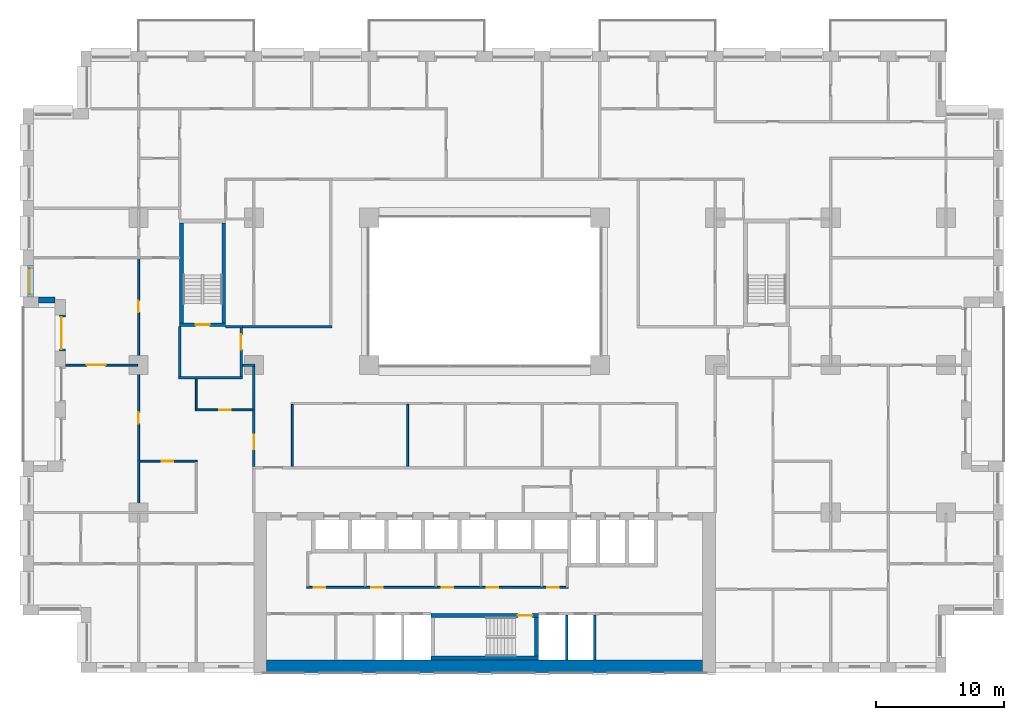
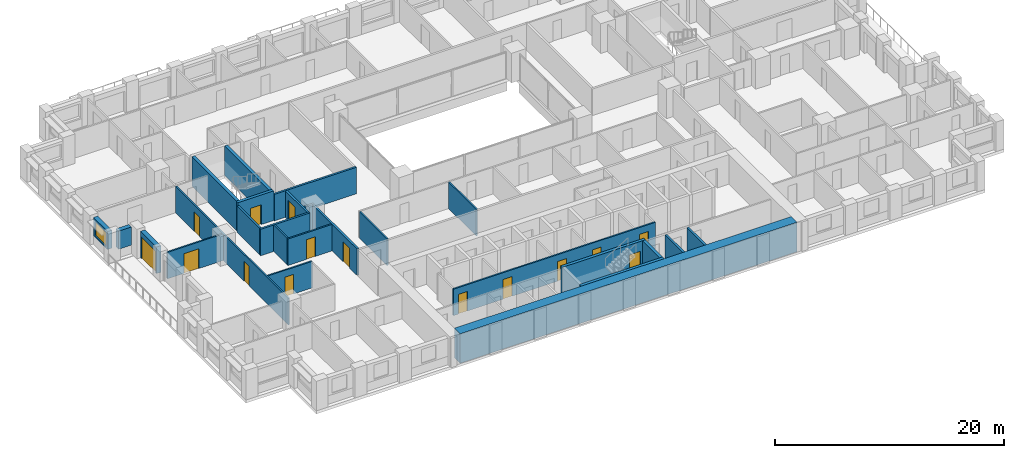
# One storey, part 10 of 21: 27 walls, 15 doors, 1 window, 16 openings.
"""IFC4 building model written with IfcOpenShell, lengths in metres."""

import ifcopenshell
import ifcopenshell.guid

model = None  # the IFC model being written
_history = None  # IfcOwnerHistory: only IFC2X3 demands one
_inside = {}  # id of a spatial element -> (the spatial element, [elements in it])
_under = {}  # id of a project, library or spatial element -> (it, [spatial elements below it])
_declared = {}  # id of a project -> (the project, [libraries it declares])
_typed = {}  # id of a type object -> (the type object, [elements of that type])
_made_of = {}  # id of a material, layer set ... -> (it, [elements and type objects made of it])


def new_model(schema):
    """Start an empty IFC model of exactly this schema.

    Asked for "IFC4X3", IfcOpenShell would pick the latest addendum, in which some entities
    have other attributes; the version numbers below select the first issue.
    IFC2X3 requires an IfcOwnerHistory on every rooted entity: one is made here for all.
    """
    global model, _history
    if schema == "IFC4X3":
        model = ifcopenshell.file(schema_version=(4, 3, 0, 0))
    else:
        model = ifcopenshell.file(schema=schema)
    _inside.clear()
    _under.clear()
    _declared.clear()
    _typed.clear()
    _made_of.clear()
    _history = None
    if model.schema == "IFC2X3":
        org = make("IfcOrganization", Name="unknown")
        user = make(
            "IfcPersonAndOrganization",
            ThePerson=make("IfcPerson", FamilyName="unknown"),
            TheOrganization=org,
        )
        app = make(
            "IfcApplication",
            ApplicationDeveloper=org,
            Version="unknown",
            ApplicationFullName="unknown",
            ApplicationIdentifier="unknown",
        )
        _history = make(
            "IfcOwnerHistory",
            OwningUser=user,
            OwningApplication=app,
            ChangeAction="ADDED",
            CreationDate=0,
        )
    return model


def make(cls, **values):
    """One entity of the class cls with the attributes given. An attribute that is None is left unset."""
    return model.create_entity(
        cls, **{name: value for name, value in values.items() if value is not None}
    )


def rooted(cls, **values):
    """An entity with a GlobalId (a new one), such as an element, a storey or a relation."""
    return make(cls, GlobalId=ifcopenshell.guid.new(), OwnerHistory=_history, **values)


def si_unit(unit_type, name, prefix=None):
    """IfcSIUnit, for example si_unit("LENGTHUNIT", "METRE", prefix="MILLI")."""
    return make("IfcSIUnit", UnitType=unit_type, Prefix=prefix, Name=name)


def assignment(units):
    """IfcUnitAssignment: the units of a project."""
    return None if units is None else make("IfcUnitAssignment", Units=units)


def point(xyz):
    """IfcCartesianPoint."""
    return None if xyz is None else make("IfcCartesianPoint", Coordinates=xyz)


def direction(xyz):
    """IfcDirection."""
    return None if xyz is None else make("IfcDirection", DirectionRatios=xyz)


def frame(location, z_axis=None, x_axis=None):
    """IfcAxis2Placement3D, a coordinate frame: its origin and axes. An axis left out is left unset."""
    return make(
        "IfcAxis2Placement3D",
        Location=point(location),
        Axis=direction(z_axis),
        RefDirection=direction(x_axis),
    )


def frame_2d(location, x_axis=None):
    """IfcAxis2Placement2D, a coordinate frame in the plane: its origin and x axis."""
    return make(
        "IfcAxis2Placement2D", Location=point(location), RefDirection=direction(x_axis)
    )


def origin():
    """The frame at (0, 0, 0) with its axes left unset."""
    return frame((0.0, 0.0, 0.0))


def place(relative_to, where):
    """IfcLocalPlacement: puts the frame where relative to a parent placement (None: the world)."""
    return make(
        "IfcLocalPlacement", PlacementRelTo=relative_to, RelativePlacement=where
    )


def context(
    kind, dimensions, precision=None, world=None, true_north=None, identifier=None
):
    """IfcGeometricRepresentationContext, for example the 3D "Model" context."""
    return make(
        "IfcGeometricRepresentationContext",
        ContextIdentifier=identifier,
        ContextType=kind,
        CoordinateSpaceDimension=dimensions,
        Precision=precision,
        WorldCoordinateSystem=world,
        TrueNorth=true_north,
    )


def subcontext(parent, identifier, kind, view, scale=None):
    """IfcGeometricRepresentationSubContext, for example "Body" below "Model"."""
    return make(
        "IfcGeometricRepresentationSubContext",
        ContextIdentifier=identifier,
        ContextType=kind,
        ParentContext=parent,
        TargetScale=scale,
        TargetView=view,
    )


def project(units=None, contexts=None):
    """IfcProject with its units and contexts."""
    return rooted(
        "IfcProject",
        Name="project",
        RepresentationContexts=contexts,
        UnitsInContext=assignment(units),
    )


def spatial(cls, under=None, at=None, **own):
    """A site, building, storey or space (cls), placed at a placement, below another one or the project."""
    s = rooted(cls, ObjectPlacement=at, **own)
    if under is not None:
        _under.setdefault(under.id(), (under, []))[1].append(s)
    return s


def profile(cls, at=None, kind="AREA", **sizes):
    """A parametric profile (cls). Its sizes go by their IFC names, for example OverallWidth=200.0."""
    return make(cls, ProfileType=kind, Position=at, **sizes)


def rectangle(**sizes):
    """IfcRectangleProfileDef."""
    return profile("IfcRectangleProfileDef", **sizes)


def extrude(swept, where, along, depth):
    """IfcExtrudedAreaSolid: the profile swept, set in the frame where, extruded along a direction by depth."""
    return make(
        "IfcExtrudedAreaSolid",
        SweptArea=swept,
        Position=where,
        ExtrudedDirection=direction(along),
        Depth=depth,
    )


def shape(context_of_items, identifier, shape_type, items):
    """IfcShapeRepresentation: the items that make up one representation, for example the "Body"."""
    return make(
        "IfcShapeRepresentation",
        ContextOfItems=context_of_items,
        RepresentationIdentifier=identifier,
        RepresentationType=shape_type,
        Items=items,
    )


def material(Name=None, Category=None):
    """IfcMaterial."""
    return make("IfcMaterial", Name=Name, Category=Category)


def layer(
    of_material, thickness, ventilated=None, Name=None, Category=None, Priority=None
):
    """IfcMaterialLayer: one layer of a wall or slab, of a material (None: an air gap)."""
    return make(
        "IfcMaterialLayer",
        Material=of_material,
        LayerThickness=thickness,
        IsVentilated=ventilated,
        Name=Name,
        Category=Category,
        Priority=Priority,
    )


def layer_set(layers, Name=None):
    """IfcMaterialLayerSet."""
    return make("IfcMaterialLayerSet", MaterialLayers=layers, LayerSetName=Name)


def made_of(thing, what):
    """Note that an element or type object is made of a material, layer set ...; save() writes the relation."""
    if what is not None:
        _made_of.setdefault(what.id(), (what, []))[1].append(thing)
    return thing


def type_object(cls, material=None, **own):
    """A type object (cls), such as IfcWallType, which elements share."""
    return made_of(rooted(cls, **own), material)


def element(
    cls,
    number,
    at=None,
    inside=None,
    cuts=None,
    type_object=None,
    material=None,
    context=None,
    identifier="Body",
    shape_type=None,
    held_by="IfcProductDefinitionShape",
    body=None,
    shapes=None,
    **own,
):
    """One element of the class cls, such as IfcWall. Its Tag is "e" and its number.

    at: its placement. inside: the storey or other place that contains it. cuts: it is an
    opening in that element (IfcRelVoidsElement). A single representation is given by context,
    identifier, shape_type and body (its items); several are given by shapes. held_by: the class
    of the entity that holds the representations. save() writes the other relations.
    """
    e = rooted(cls, Tag="e%d" % number, ObjectPlacement=at, **own)
    if body is not None:
        shapes = [shape(context, identifier, shape_type, body)]
    if shapes is not None:
        e.Representation = make(held_by, Representations=shapes)
    if inside is not None:
        _inside.setdefault(inside.id(), (inside, []))[1].append(e)
    if cuts is not None:
        rooted(
            "IfcRelVoidsElement", RelatingBuildingElement=cuts, RelatedOpeningElement=e
        )
    if type_object is not None:
        _typed.setdefault(type_object.id(), (type_object, []))[1].append(e)
    return made_of(e, material)


def fill(opening, filler):
    """IfcRelFillsElement: the door or window that sits in an opening."""
    return rooted(
        "IfcRelFillsElement",
        RelatingOpeningElement=opening,
        RelatedBuildingElement=filler,
    )


def aggregate(whole, parts):
    """IfcRelAggregates: a whole, such as a stair, and the parts it consists of."""
    return rooted("IfcRelAggregates", RelatingObject=whole, RelatedObjects=parts)


def save(model, path):
    """Write the relations noted so far, then the file.

    IfcRelAggregates (storeys below a building ...), IfcRelContainedInSpatialStructure (elements
    in a storey), IfcRelDefinesByType, IfcRelAssociatesMaterial and IfcRelDeclares: one each for
    every whole, place, type object, material and project.
    """
    for whole, parts in _under.values():
        aggregate(whole, parts)
    for where, things in _inside.values():
        rooted(
            "IfcRelContainedInSpatialStructure",
            RelatedElements=things,
            RelatingStructure=where,
        )
    for kind, things in _typed.values():
        rooted("IfcRelDefinesByType", RelatedObjects=things, RelatingType=kind)
    for what, things in _made_of.values():
        rooted("IfcRelAssociatesMaterial", RelatedObjects=things, RelatingMaterial=what)
    for by, libraries in _declared.values():
        rooted("IfcRelDeclares", RelatingContext=by, RelatedDefinitions=libraries)
    model.write(path)


model = new_model("IFC4")

# Units and contexts
model_context = context("Model", 3, precision=1e-05, world=origin(), true_north=direction((0.0, 1.0)))
body_context = subcontext(model_context, "Body", "Model", "MODEL_VIEW")
ifc_project = project(units=[si_unit("LENGTHUNIT", "METRE"), si_unit("AREAUNIT", "SQUARE_METRE"), si_unit("VOLUMEUNIT", "CUBIC_METRE"), si_unit("PLANEANGLEUNIT", "RADIAN"), si_unit("MASSUNIT", "GRAM", prefix="KILO")], contexts=[model_context])

# Site, building, storey
site_placement = place(None, origin())
site = spatial("IfcSite", under=ifc_project, at=site_placement, CompositionType="ELEMENT")
building_placement = place(site_placement, origin())
building = spatial("IfcBuilding", under=site, at=building_placement, Name="Brigalow Station Residences", CompositionType="ELEMENT")
storey_placement = place(building_placement, frame((0.0, 0.0, 51.0)))
storey = spatial("IfcBuildingStorey", under=building, at=storey_placement, Name="L14", CompositionType="ELEMENT", Elevation=51.0)

# Wall, opening, window
ifc_material_1 = material(Name="Clay brick masonry", Category="masonry")
ifc_layer_1 = layer(ifc_material_1, 0.449951171875)
ifc_layer_set_1 = layer_set([ifc_layer_1], Name="BRICK INFILL WALL 450")
wall_type_1 = type_object("IfcWallType", Name="BRICK INFILL WALL 450", PredefinedType="SOLIDWALL", material=ifc_layer_set_1)
wall_1_placement = place(storey_placement, frame((0.574951171875, 31.77490234375, 0.89990234375), z_axis=(0.0, 0.0, 1.0), x_axis=(0.0, -1.0, 0.0)))
wall_1 = element("IfcWall", 1, at=wall_1_placement, inside=storey, type_object=wall_type_1, Name="L14/ewall/W-L14-45", PredefinedType="SOLIDWALL", context=body_context, shape_type="SweptSolid", body=[
    extrude(rectangle(XDim=2.474853515625, YDim=0.449951171875, at=frame_2d((1.2373046875, 0.0))), origin(), (0.0, 0.0, 1.0), 1.93017578125),
])
opening_1_placement = place(wall_1_placement, frame((0.237548828125, 0.0, 0.14990234375)))
opening_1 = element("IfcOpeningElement", 2, at=opening_1_placement, cuts=wall_1, Name="Opening WT-7", PredefinedType="OPENING", context=body_context, shape_type="SweptSolid", body=[
    extrude(rectangle(XDim=2.0, YDim=1.5, at=frame_2d((1.0, 0.75))), frame((0.0, 0.23486328125, 0.0), z_axis=(0.0, -1.0, 0.0), x_axis=(1.0, 0.0, 0.0)), (0.0, 0.0, 1.0), 0.469970703125),
])
ifc_material_2 = material(Name="Anodised aluminium frame with double glazing", Category="aluminium")
window_type = type_object("IfcWindowType", Name="WINDOW 2000x1500", PartitioningType="SINGLE_PANEL", PredefinedType="WINDOW", material=ifc_material_2)
window_placement = place(opening_1_placement, origin())
window = element("IfcWindow", 3, at=window_placement, inside=storey, type_object=window_type, Name="L14/window/W-L14-45", OverallHeight=1.5, OverallWidth=2.0, PartitioningType="SINGLE_PANEL", PredefinedType="WINDOW", context=body_context, shape_type="SweptSolid", body=[
    extrude(rectangle(XDim=2.0, YDim=1.5, at=frame_2d((1.0, 0.75))), frame((0.0, -0.06494140625, 0.0), z_axis=(0.0, -1.0, 0.0), x_axis=(1.0, 0.0, 0.0)), (0.0, 0.0, 1.0), 0.06005859375),
])
fill(opening_1, window)

# Wall
wall_2_placement = place(storey_placement, frame((1.199951171875, 29.074951171875, 0.89990234375), z_axis=(0.0, 0.0, 1.0), x_axis=(1.0, 0.0, 0.0)))
element("IfcWall", 4, at=wall_2_placement, inside=storey, type_object=wall_type_1, Name="L14/ewall/W-L14-46", PredefinedType="SOLIDWALL", context=body_context, shape_type="SweptSolid", body=[
    extrude(rectangle(XDim=1.300048828125, YDim=0.449951171875, at=frame_2d((0.64990234375, 0.0))), origin(), (0.0, 0.0, 1.0), 1.93017578125),
])

# Wall, opening, door
wall_3_placement = place(storey_placement, frame((3.074951171875, 27.89990234375, 0.0), z_axis=(0.0, 0.0, 1.0), x_axis=(0.0, -1.0, 0.0)))
wall_3 = element("IfcWall", 5, at=wall_3_placement, inside=storey, type_object=wall_type_1, Name="L14/ewall/W-L14-47", PredefinedType="SOLIDWALL", context=body_context, shape_type="SweptSolid", body=[
    extrude(rectangle(XDim=2.7998046875, YDim=0.449951171875, at=frame_2d((1.39990234375, 0.0))), origin(), (0.0, 0.0, 1.0), 2.830078125),
])
opening_2_placement = place(wall_3_placement, frame((0.14990234375, 0.0, 0.0)))
opening_2 = element("IfcOpeningElement", 6, at=opening_2_placement, cuts=wall_3, Name="Opening D-B2500", PredefinedType="OPENING", context=body_context, shape_type="SweptSolid", body=[
    extrude(rectangle(XDim=2.5, YDim=2.300048828125, at=frame_2d((1.25, 1.14990234375))), frame((0.0, 0.23486328125, 0.0), z_axis=(0.0, -1.0, 0.0), x_axis=(1.0, 0.0, 0.0)), (0.0, 0.0, 1.0), 0.469970703125),
])
ifc_material_3 = material(Name="Anodised aluminium frame with double glazing", Category="aluminium")
door_type_1 = type_object("IfcDoorType", Name="BALCONY SLIDING DOOR 2500x2300", OperationType="SLIDING_TO_LEFT", PredefinedType="DOOR", material=ifc_material_3)
door_1_placement = place(opening_2_placement, origin())
door_1 = element("IfcDoor", 7, at=door_1_placement, inside=storey, type_object=door_type_1, Name="L14/balcony-door/W-L14-47", OperationType="SLIDING_TO_LEFT", OverallHeight=2.300048828125, OverallWidth=2.5, PredefinedType="DOOR", context=body_context, shape_type="SweptSolid", body=[
    extrude(rectangle(XDim=2.5, YDim=2.300048828125, at=frame_2d((1.25, 1.14990234375))), frame((0.0, -0.06982421875, 0.0), z_axis=(0.0, -1.0, 0.0), x_axis=(1.0, 0.0, 0.0)), (0.0, 0.0, 1.0), 0.050048828125),
])
fill(opening_2, door_1)

# Walls
ifc_material_4 = material(Name="Concrete C80", Category="concrete")
ifc_layer_2 = layer(ifc_material_4, 1.0)
ifc_layer_set_2 = layer_set([ifc_layer_2], Name="CORE SHEAR WALL 1000 C80")
wall_type_2 = type_object("IfcWallType", Name="CORE SHEAR WALL 1000 C80", PredefinedType="SHEAR", material=ifc_layer_set_2)
wall_4_placement = place(storey_placement, frame((19.0, 0.5, 0.0), z_axis=(0.0, 0.0, 1.0), x_axis=(1.0, 0.0, 0.0)))
element("IfcWall", 8, at=wall_4_placement, inside=storey, type_object=wall_type_2, Name="CORE WALL OUT-S L14", PredefinedType="SHEAR", context=body_context, shape_type="SweptSolid", body=[
    extrude(rectangle(XDim=34.0, YDim=1.0, at=frame_2d((17.0, 0.0))), origin(), (0.0, 0.0, 1.0), 3.14990234375),
])
ifc_material_5 = material(Name="Concrete C80", Category="concrete")
ifc_layer_3 = layer(ifc_material_5, 0.300048828125)
ifc_layer_set_3 = layer_set([ifc_layer_3], Name="CORE SHEAR WALL 300 C80")
wall_type_3 = type_object("IfcWallType", Name="CORE SHEAR WALL 300 C80", PredefinedType="SHEAR", material=ifc_layer_set_3)
wall_5_placement = place(storey_placement, frame((31.800048828125, 1.14990234375, 0.0), z_axis=(0.0, 0.0, 1.0), x_axis=(1.0, 0.0, 0.0)))
element("IfcWall", 9, at=wall_5_placement, inside=storey, type_object=wall_type_3, Name="CORE WALL ST-S2-S L14", PredefinedType="SHEAR", context=body_context, shape_type="SweptSolid", body=[
    extrude(rectangle(XDim=8.39990234375, YDim=0.300048828125, at=frame_2d((4.199951171875, 0.0))), origin(), (0.0, 0.0, 1.0), 3.14990234375),
])

# Wall, opening, door
wall_6_placement = place(storey_placement, frame((31.800048828125, 4.449951171875, 0.0), z_axis=(0.0, 0.0, 1.0), x_axis=(1.0, 0.0, 0.0)))
wall_6 = element("IfcWall", 10, at=wall_6_placement, inside=storey, type_object=wall_type_3, Name="CORE WALL ST-S2-N L14", PredefinedType="SHEAR", context=body_context, shape_type="SweptSolid", body=[
    extrude(rectangle(XDim=8.39990234375, YDim=0.300048828125, at=frame_2d((4.199951171875, 0.0))), origin(), (0.0, 0.0, 1.0), 3.14990234375),
])
opening_3_placement = place(wall_6_placement, frame((6.800048828125, 0.0, 0.0)))
opening_3 = element("IfcOpeningElement", 11, at=opening_3_placement, cuts=wall_6, Name="Opening D-5001", PredefinedType="OPENING", context=body_context, shape_type="SweptSolid", body=[
    extrude(rectangle(XDim=1.10009765625, YDim=2.10009765625, at=frame_2d((0.550048828125, 1.050048828125))), frame((0.0, 0.16015625, 0.0), z_axis=(0.0, -1.0, 0.0), x_axis=(1.0, 0.0, 0.0)), (0.0, 0.0, 1.0), 0.320068359375),
])
ifc_material_6 = material(Name="Steel fire door leaf in steel frame", Category="steel")
door_type_2 = type_object("IfcDoorType", Name="STAIR DOOR 1100 x 2100 FD60S", OperationType="SINGLE_SWING_LEFT", PredefinedType="DOOR", material=ifc_material_6)
door_2_placement = place(opening_3_placement, frame((1.10009765625, 0.0, 0.0), z_axis=(0.0, 0.0, 1.0), x_axis=(-1.0, 0.0, 0.0)))
door_2 = element("IfcDoor", 12, at=door_2_placement, inside=storey, type_object=door_type_2, Name="D-5001", OperationType="SINGLE_SWING_LEFT", OverallHeight=2.10009765625, OverallWidth=1.10009765625, PredefinedType="DOOR", context=body_context, shape_type="SweptSolid", body=[
    extrude(rectangle(XDim=1.10009765625, YDim=2.10009765625, at=frame_2d((0.550048828125, 1.050048828125))), frame((0.0, 0.02490234375, 0.0), z_axis=(0.0, -1.0, 0.0), x_axis=(1.0, 0.0, 0.0)), (0.0, 0.0, 1.0), 0.050048828125),
])
fill(opening_3, door_2)

# Wall
wall_7_placement = place(storey_placement, frame((40.050048828125, 1.300048828125, 0.0), z_axis=(0.0, 0.0, 1.0), x_axis=(0.0, 1.0, 0.0)))
element("IfcWall", 13, at=wall_7_placement, inside=storey, type_object=wall_type_3, Name="CORE WALL ST-S2-E L14", PredefinedType="SHEAR", context=body_context, shape_type="SweptSolid", body=[
    extrude(rectangle(XDim=3.0, YDim=0.300048828125, at=frame_2d((1.5, 0.0))), origin(), (0.0, 0.0, 1.0), 3.14990234375),
])

# Wall, opening, door
wall_8_placement = place(storey_placement, frame((12.199951171875, 27.14990234375, 0.0), z_axis=(0.0, 0.0, 1.0), x_axis=(1.0, 0.0, 0.0)))
wall_8 = element("IfcWall", 14, at=wall_8_placement, inside=storey, type_object=wall_type_3, Name="CORE WALL ST-S1-S L14", PredefinedType="SHEAR", context=body_context, shape_type="SweptSolid", body=[
    extrude(rectangle(XDim=3.60009765625, YDim=0.300048828125, at=frame_2d((1.800048828125, 0.0))), origin(), (0.0, 0.0, 1.0), 3.14990234375),
])
opening_4_placement = place(wall_8_placement, frame((1.25, 0.0, 0.0)))
opening_4 = element("IfcOpeningElement", 15, at=opening_4_placement, cuts=wall_8, Name="Opening D-5015", PredefinedType="OPENING", context=body_context, shape_type="SweptSolid", body=[
    extrude(rectangle(XDim=1.10009765625, YDim=2.10009765625, at=frame_2d((0.550048828125, 1.050048828125))), frame((0.0, 0.16015625, 0.0), z_axis=(0.0, -1.0, 0.0), x_axis=(1.0, 0.0, 0.0)), (0.0, 0.0, 1.0), 0.320068359375),
])
door_3_placement = place(opening_4_placement, origin())
door_3 = element("IfcDoor", 16, at=door_3_placement, inside=storey, type_object=door_type_2, Name="D-5015", OperationType="SINGLE_SWING_LEFT", OverallHeight=2.10009765625, OverallWidth=1.10009765625, PredefinedType="DOOR", context=body_context, shape_type="SweptSolid", body=[
    extrude(rectangle(XDim=1.10009765625, YDim=2.10009765625, at=frame_2d((0.550048828125, 1.050048828125))), frame((0.0, 0.02490234375, 0.0), z_axis=(0.0, -1.0, 0.0), x_axis=(1.0, 0.0, 0.0)), (0.0, 0.0, 1.0), 0.050048828125),
])
fill(opening_4, door_3)

# Walls
for number, where, z_axis, x_axis, name in (
    (17, (12.35009765625, 27.300048828125, 0.0), (0.0, 0.0, 1.0), (0.0, 1.0, 0.0), "CORE WALL ST-S1-W L14"),
    (18, (15.64990234375, 27.300048828125, 0.0), (0.0, 0.0, 1.0), (0.0, 1.0, 0.0), "CORE WALL ST-S1-E L14"),
):
    element("IfcWall", number, at=place(storey_placement, frame(where, z_axis=z_axis, x_axis=x_axis)), inside=storey, type_object=wall_type_3, Name=name, PredefinedType="SHEAR", context=body_context, shape_type="SweptSolid", body=[
        extrude(rectangle(XDim=7.800048828125, YDim=0.300048828125, at=frame_2d((3.89990234375, 0.0))), origin(), (0.0, 0.0, 1.0), 3.14990234375),
    ])
ifc_material_7 = material(Name="Concrete blockwork", Category="masonry")
ifc_layer_4 = layer(ifc_material_7, 0.199951171875)
ifc_layer_set_4 = layer_set([ifc_layer_4], Name="FIRE RATED CORE PARTITION 200")
wall_type_4 = type_object("IfcWallType", Name="FIRE RATED CORE PARTITION 200", PredefinedType="PARTITIONING", material=ifc_layer_set_4)
wall_9_placement = place(storey_placement, frame((12.10009765625, 23.0, 0.0), z_axis=(0.0, 0.0, 1.0), x_axis=(1.0, 0.0, 0.0)))
element("IfcWall", 19, at=wall_9_placement, inside=storey, type_object=wall_type_4, Name="PW-5023", PredefinedType="PARTITIONING", context=body_context, shape_type="SweptSolid", body=[
    extrude(rectangle(XDim=5.0, YDim=0.199951171875, at=frame_2d((2.5, 0.0))), origin(), (0.0, 0.0, 1.0), 2.830078125),
])
wall_10_placement = place(storey_placement, frame((15.800048828125, 27.0, 0.0), z_axis=(0.0, 0.0, 1.0), x_axis=(1.0, 0.0, 0.0)))
element("IfcWall", 20, at=wall_10_placement, inside=storey, type_object=wall_type_4, Name="PW-5025", PredefinedType="PARTITIONING", context=body_context, shape_type="SweptSolid", body=[
    extrude(rectangle(XDim=1.300048828125, YDim=0.199951171875, at=frame_2d((0.64990234375, 0.0))), origin(), (0.0, 0.0, 1.0), 2.830078125),
])
for number, where, z_axis, x_axis, name in (
    (21, (42.39990234375, 1.0, 0.0), (0.0, 0.0, 1.0), (0.0, 1.0, 0.0), "PW-5007"),
    (22, (44.60009765625, 1.0, 0.0), (0.0, 0.0, 1.0), (0.0, 1.0, 0.0), "PW-5008"),
):
    element("IfcWall", number, at=place(storey_placement, frame(where, z_axis=z_axis, x_axis=x_axis)), inside=storey, type_object=wall_type_4, Name=name, PredefinedType="PARTITIONING", context=body_context, shape_type="SweptSolid", body=[
        extrude(rectangle(XDim=3.5, YDim=0.199951171875, at=frame_2d((1.75, 0.0))), origin(), (0.0, 0.0, 1.0), 2.830078125),
    ])
wall_11_placement = place(storey_placement, frame((12.199951171875, 23.10009765625, 0.0), z_axis=(0.0, 0.0, 1.0), x_axis=(0.0, 1.0, 0.0)))
element("IfcWall", 23, at=wall_11_placement, inside=storey, type_object=wall_type_4, Name="PW-5034", PredefinedType="PARTITIONING", context=body_context, shape_type="SweptSolid", body=[
    extrude(rectangle(XDim=3.89990234375, YDim=0.199951171875, at=frame_2d((1.949951171875, 0.0))), origin(), (0.0, 0.0, 1.0), 2.830078125),
])

# Wall, opening, door
wall_12_placement = place(storey_placement, frame((17.0, 23.10009765625, 0.0), z_axis=(0.0, 0.0, 1.0), x_axis=(0.0, 1.0, 0.0)))
wall_12 = element("IfcWall", 24, at=wall_12_placement, inside=storey, type_object=wall_type_4, Name="PW-5035", PredefinedType="PARTITIONING", context=body_context, shape_type="SweptSolid", body=[
    extrude(rectangle(XDim=3.7998046875, YDim=0.199951171875, at=frame_2d((1.89990234375, 0.0))), origin(), (0.0, 0.0, 1.0), 2.830078125),
])
opening_5_placement = place(wall_12_placement, frame((2.10009765625, 0.0, 0.0)))
opening_5 = element("IfcOpeningElement", 25, at=opening_5_placement, cuts=wall_12, Name="Opening D-5016", PredefinedType="OPENING", context=body_context, shape_type="SweptSolid", body=[
    extrude(rectangle(XDim=1.199951171875, YDim=2.10009765625, at=frame_2d((0.60009765625, 1.050048828125))), frame((0.0, 0.10986328125, 0.0), z_axis=(0.0, -1.0, 0.0), x_axis=(1.0, 0.0, 0.0)), (0.0, 0.0, 1.0), 0.219970703125),
])
ifc_material_8 = material(Name="Steel fire door leaf in steel frame", Category="steel")
door_type_3 = type_object("IfcDoorType", Name="STAIR LOBBY DOOR 1200 x 2100 FD60S", OperationType="SINGLE_SWING_LEFT", PredefinedType="DOOR", material=ifc_material_8)
door_4_placement = place(opening_5_placement, origin())
door_4 = element("IfcDoor", 26, at=door_4_placement, inside=storey, type_object=door_type_3, Name="D-5016", OperationType="SINGLE_SWING_RIGHT", OverallHeight=2.10009765625, OverallWidth=1.199951171875, PredefinedType="DOOR", context=body_context, shape_type="SweptSolid", body=[
    extrude(rectangle(XDim=1.199951171875, YDim=2.10009765625, at=frame_2d((0.60009765625, 1.050048828125))), frame((0.0, 0.02490234375, 0.0), z_axis=(0.0, -1.0, 0.0), x_axis=(1.0, 0.0, 0.0)), (0.0, 0.0, 1.0), 0.050048828125),
])
fill(opening_5, door_4)

ifc_material_9 = material(Name="Plasterboard on steel stud partition", Category="steel")
ifc_layer_5 = layer(ifc_material_9, 0.14990234375)
ifc_layer_set_5 = layer_set([ifc_layer_5], Name="FLAT PARTITION 150")
wall_type_5 = type_object("IfcWallType", Name="FLAT PARTITION 150", PredefinedType="PARTITIONING", material=ifc_layer_set_5)
wall_13_placement = place(storey_placement, frame((3.300048828125, 24.0, 0.0), z_axis=(0.0, 0.0, 1.0), x_axis=(1.0, 0.0, 0.0)))
wall_13 = element("IfcWall", 27, at=wall_13_placement, inside=storey, type_object=wall_type_5, Name="PW-1D02", PredefinedType="PARTITIONING", context=body_context, shape_type="SweptSolid", body=[
    extrude(rectangle(XDim=5.625, YDim=0.14990234375, at=frame_2d((2.8125, 0.0))), origin(), (0.0, 0.0, 1.0), 2.830078125),
])
opening_6_placement = place(wall_13_placement, frame((1.64990234375, 0.0, 0.0)))
opening_6 = element("IfcOpeningElement", 28, at=opening_6_placement, cuts=wall_13, Name="Opening D-1D08", PredefinedType="OPENING", context=body_context, shape_type="SweptSolid", body=[
    extrude(rectangle(XDim=1.5, YDim=2.10009765625, at=frame_2d((0.75, 1.050048828125))), frame((0.0, 0.0849609375, 0.0), z_axis=(0.0, -1.0, 0.0), x_axis=(1.0, 0.0, 0.0)), (0.0, 0.0, 1.0), 0.169921875),
])
ifc_material_10 = material(Name="Solid-core timber door leaf", Category="wood")
door_type_4 = type_object("IfcDoorType", Name="INTERNAL DOUBLE DOOR 1500 x 2100", OperationType="DOUBLE_DOOR_SINGLE_SWING", PredefinedType="DOOR", material=ifc_material_10)
door_5_placement = place(opening_6_placement, origin())
door_5 = element("IfcDoor", 29, at=door_5_placement, inside=storey, type_object=door_type_4, Name="D-1D08", OperationType="DOUBLE_DOOR_SINGLE_SWING", OverallHeight=2.10009765625, OverallWidth=1.5, PredefinedType="DOOR", context=body_context, shape_type="SweptSolid", body=[
    extrude(rectangle(XDim=1.5, YDim=2.10009765625, at=frame_2d((0.75, 1.050048828125))), frame((0.0, 0.02490234375, 0.0), z_axis=(0.0, -1.0, 0.0), x_axis=(1.0, 0.0, 0.0)), (0.0, 0.0, 1.0), 0.050048828125),
])
fill(opening_6, door_5)

wall_14_placement = place(storey_placement, frame((13.425048828125, 20.5, 0.0), z_axis=(0.0, 0.0, 1.0), x_axis=(1.0, 0.0, 0.0)))
wall_14 = element("IfcWall", 30, at=wall_14_placement, inside=storey, type_object=wall_type_5, Name="PW-1D15", PredefinedType="PARTITIONING", context=body_context, shape_type="SweptSolid", body=[
    extrude(rectangle(XDim=4.474853515625, YDim=0.14990234375, at=frame_2d((2.2373046875, 0.0))), origin(), (0.0, 0.0, 1.0), 2.830078125),
])
opening_7_placement = place(wall_14_placement, frame((1.875, 0.0, 0.0)))
opening_7 = element("IfcOpeningElement", 31, at=opening_7_placement, cuts=wall_14, Name="Opening D-1D14", PredefinedType="OPENING", context=body_context, shape_type="SweptSolid", body=[
    extrude(rectangle(XDim=0.89990234375, YDim=2.10009765625, at=frame_2d((0.449951171875, 1.050048828125))), frame((0.0, 0.0849609375, 0.0), z_axis=(0.0, -1.0, 0.0), x_axis=(1.0, 0.0, 0.0)), (0.0, 0.0, 1.0), 0.169921875),
])
ifc_material_11 = material(Name="Solid-core timber door leaf", Category="wood")
door_type_5 = type_object("IfcDoorType", Name="INTERNAL DOOR 900 x 2100", OperationType="SINGLE_SWING_LEFT", PredefinedType="DOOR", material=ifc_material_11)
door_6_placement = place(opening_7_placement, origin())
door_6 = element("IfcDoor", 32, at=door_6_placement, inside=storey, type_object=door_type_5, Name="D-1D14", OperationType="SINGLE_SWING_RIGHT", OverallHeight=2.10009765625, OverallWidth=0.89990234375, PredefinedType="DOOR", context=body_context, shape_type="SweptSolid", body=[
    extrude(rectangle(XDim=0.89990234375, YDim=2.10009765625, at=frame_2d((0.449951171875, 1.050048828125))), frame((0.0, 0.02490234375, 0.0), z_axis=(0.0, -1.0, 0.0), x_axis=(1.0, 0.0, 0.0)), (0.0, 0.0, 1.0), 0.050048828125),
])
fill(opening_7, door_6)

wall_15_placement = place(storey_placement, frame((9.074951171875, 16.5, 0.0), z_axis=(0.0, 0.0, 1.0), x_axis=(1.0, 0.0, 0.0)))
wall_15 = element("IfcWall", 33, at=wall_15_placement, inside=storey, type_object=wall_type_5, Name="PW-1D16", PredefinedType="PARTITIONING", context=body_context, shape_type="SweptSolid", body=[
    extrude(rectangle(XDim=4.5, YDim=0.14990234375, at=frame_2d((2.25, 0.0))), origin(), (0.0, 0.0, 1.0), 2.830078125),
])
opening_8_placement = place(wall_15_placement, frame((1.72509765625, 0.0, 0.0)))
opening_8 = element("IfcOpeningElement", 34, at=opening_8_placement, cuts=wall_15, Name="Opening D-1D03", PredefinedType="OPENING", context=body_context, shape_type="SweptSolid", body=[
    extrude(rectangle(XDim=0.89990234375, YDim=2.10009765625, at=frame_2d((0.449951171875, 1.050048828125))), frame((0.0, 0.0849609375, 0.0), z_axis=(0.0, -1.0, 0.0), x_axis=(1.0, 0.0, 0.0)), (0.0, 0.0, 1.0), 0.169921875),
])
door_7_placement = place(opening_8_placement, frame((0.89990234375, 0.0, 0.0), z_axis=(0.0, 0.0, 1.0), x_axis=(-1.0, 0.0, 0.0)))
door_7 = element("IfcDoor", 35, at=door_7_placement, inside=storey, type_object=door_type_5, Name="D-1D03", OperationType="SINGLE_SWING_LEFT", OverallHeight=2.10009765625, OverallWidth=0.89990234375, PredefinedType="DOOR", context=body_context, shape_type="SweptSolid", body=[
    extrude(rectangle(XDim=0.89990234375, YDim=2.10009765625, at=frame_2d((0.449951171875, 1.050048828125))), frame((0.0, 0.02490234375, 0.0), z_axis=(0.0, -1.0, 0.0), x_axis=(1.0, 0.0, 0.0)), (0.0, 0.0, 1.0), 0.050048828125),
])
fill(opening_8, door_7)

# Wall
wall_16_placement = place(storey_placement, frame((21.0, 16.10009765625, 0.0), z_axis=(0.0, 0.0, 1.0), x_axis=(0.0, 1.0, 0.0)))
element("IfcWall", 36, at=wall_16_placement, inside=storey, type_object=wall_type_5, Name="PW-1D42", PredefinedType="PARTITIONING", context=body_context, shape_type="SweptSolid", body=[
    extrude(rectangle(XDim=4.824951171875, YDim=0.14990234375, at=frame_2d((2.41259765625, 0.0))), origin(), (0.0, 0.0, 1.0), 2.830078125),
])

# Wall, openings, doors
wall_17_placement = place(storey_placement, frame((9.0, 12.574951171875, 0.0), z_axis=(0.0, 0.0, 1.0), x_axis=(0.0, 1.0, 0.0)))
wall_17 = element("IfcWall", 37, at=wall_17_placement, inside=storey, type_object=wall_type_5, Name="PW-1D48", PredefinedType="PARTITIONING", context=body_context, shape_type="SweptSolid", body=[
    extrude(rectangle(XDim=19.72509765625, YDim=0.14990234375, at=frame_2d((9.862548828125, 0.0))), origin(), (0.0, 0.0, 1.0), 2.830078125),
])
opening_9_placement = place(wall_17_placement, frame((15.537109375, 0.0, 0.0)))
opening_9 = element("IfcOpeningElement", 38, at=opening_9_placement, cuts=wall_17, Name="Opening D-1D07", PredefinedType="OPENING", context=body_context, shape_type="SweptSolid", body=[
    extrude(rectangle(XDim=0.89990234375, YDim=2.10009765625, at=frame_2d((0.449951171875, 1.050048828125))), frame((0.0, 0.0849609375, 0.0), z_axis=(0.0, -1.0, 0.0), x_axis=(1.0, 0.0, 0.0)), (0.0, 0.0, 1.0), 0.169921875),
])
opening_10_placement = place(wall_17_placement, frame((6.85009765625, 0.0, 0.0)))
opening_10 = element("IfcOpeningElement", 39, at=opening_10_placement, cuts=wall_17, Name="Opening D-1D13", PredefinedType="OPENING", context=body_context, shape_type="SweptSolid", body=[
    extrude(rectangle(XDim=0.89990234375, YDim=2.10009765625, at=frame_2d((0.449951171875, 1.050048828125))), frame((0.0, 0.0849609375, 0.0), z_axis=(0.0, -1.0, 0.0), x_axis=(1.0, 0.0, 0.0)), (0.0, 0.0, 1.0), 0.169921875),
])
door_8_placement = place(opening_9_placement, origin())
door_8 = element("IfcDoor", 40, at=door_8_placement, inside=storey, type_object=door_type_5, Name="D-1D07", OperationType="SINGLE_SWING_RIGHT", OverallHeight=2.10009765625, OverallWidth=0.89990234375, PredefinedType="DOOR", context=body_context, shape_type="SweptSolid", body=[
    extrude(rectangle(XDim=0.89990234375, YDim=2.10009765625, at=frame_2d((0.449951171875, 1.050048828125))), frame((0.0, 0.02490234375, 0.0), z_axis=(0.0, -1.0, 0.0), x_axis=(1.0, 0.0, 0.0)), (0.0, 0.0, 1.0), 0.050048828125),
])
fill(opening_9, door_8)
door_9_placement = place(opening_10_placement, origin())
door_9 = element("IfcDoor", 41, at=door_9_placement, inside=storey, type_object=door_type_5, Name="D-1D13", OperationType="SINGLE_SWING_RIGHT", OverallHeight=2.10009765625, OverallWidth=0.89990234375, PredefinedType="DOOR", context=body_context, shape_type="SweptSolid", body=[
    extrude(rectangle(XDim=0.89990234375, YDim=2.10009765625, at=frame_2d((0.449951171875, 1.050048828125))), frame((0.0, 0.02490234375, 0.0), z_axis=(0.0, -1.0, 0.0), x_axis=(1.0, 0.0, 0.0)), (0.0, 0.0, 1.0), 0.050048828125),
])
fill(opening_10, door_9)

# Walls
wall_18_placement = place(storey_placement, frame((13.5, 20.574951171875, 0.0), z_axis=(0.0, 0.0, 1.0), x_axis=(0.0, 1.0, 0.0)))
element("IfcWall", 42, at=wall_18_placement, inside=storey, type_object=wall_type_5, Name="PW-1D54", PredefinedType="PARTITIONING", context=body_context, shape_type="SweptSolid", body=[
    extrude(rectangle(XDim=2.324951171875, YDim=0.14990234375, at=frame_2d((1.16259765625, 0.0))), origin(), (0.0, 0.0, 1.0), 2.830078125),
])
wall_19_placement = place(storey_placement, frame((30.0, 16.10009765625, 0.0), z_axis=(0.0, 0.0, 1.0), x_axis=(0.0, 1.0, 0.0)))
element("IfcWall", 43, at=wall_19_placement, inside=storey, type_object=wall_type_5, Name="PW-1D84", PredefinedType="PARTITIONING", context=body_context, shape_type="SweptSolid", body=[
    extrude(rectangle(XDim=4.824951171875, YDim=0.14990234375, at=frame_2d((2.41259765625, 0.0))), origin(), (0.0, 0.0, 1.0), 2.830078125),
])
ifc_material_12 = material(Name="Plasterboard on steel stud partition", Category="steel")
ifc_layer_6 = layer(ifc_material_12, 0.199951171875)
ifc_layer_set_6 = layer_set([ifc_layer_6], Name="PARTY AND CORRIDOR WALL 200")
wall_type_6 = type_object("IfcWallType", Name="PARTY AND CORRIDOR WALL 200", PredefinedType="PARTITIONING", material=ifc_layer_set_6)
wall_20_placement = place(storey_placement, frame((17.10009765625, 24.0, 0.0), z_axis=(0.0, 0.0, 1.0), x_axis=(1.0, 0.0, 0.0)))
element("IfcWall", 44, at=wall_20_placement, inside=storey, type_object=wall_type_6, Name="PW-1D04", PredefinedType="PARTITIONING", context=body_context, shape_type="SweptSolid", body=[
    extrude(rectangle(XDim=1.0, YDim=0.199951171875, at=frame_2d((0.5, 0.0))), origin(), (0.0, 0.0, 1.0), 2.830078125),
])
wall_21_placement = place(storey_placement, frame((17.10009765625, 27.0, 0.0), z_axis=(0.0, 0.0, 1.0), x_axis=(1.0, 0.0, 0.0)))
element("IfcWall", 45, at=wall_21_placement, inside=storey, type_object=wall_type_6, Name="PW-1D06", PredefinedType="PARTITIONING", context=body_context, shape_type="SweptSolid", body=[
    extrude(rectangle(XDim=7.0, YDim=0.199951171875, at=frame_2d((3.5, 0.0))), origin(), (0.0, 0.0, 1.0), 2.830078125),
])

# Wall, opening, door
wall_22_placement = place(storey_placement, frame((18.0, 16.10009765625, 0.0), z_axis=(0.0, 0.0, 1.0), x_axis=(0.0, 1.0, 0.0)))
wall_22 = element("IfcWall", 46, at=wall_22_placement, inside=storey, type_object=wall_type_6, Name="PW-1D38", PredefinedType="PARTITIONING", context=body_context, shape_type="SweptSolid", body=[
    extrude(rectangle(XDim=7.7998046875, YDim=0.199951171875, at=frame_2d((3.89990234375, 0.0))), origin(), (0.0, 0.0, 1.0), 2.830078125),
])
opening_11_placement = place(wall_22_placement, frame((1.35009765625, 0.0, 0.0)))
opening_11 = element("IfcOpeningElement", 47, at=opening_11_placement, cuts=wall_22, Name="Opening D-1D17", PredefinedType="OPENING", context=body_context, shape_type="SweptSolid", body=[
    extrude(rectangle(XDim=1.10009765625, YDim=2.10009765625, at=frame_2d((0.550048828125, 1.050048828125))), frame((0.0, 0.10986328125, 0.0), z_axis=(0.0, -1.0, 0.0), x_axis=(1.0, 0.0, 0.0)), (0.0, 0.0, 1.0), 0.219970703125),
])
ifc_material_13 = material(Name="Solid-core timber door leaf", Category="wood")
door_type_6 = type_object("IfcDoorType", Name="FLAT ENTRANCE DOOR 1100 x 2100 FRL -/60/30", OperationType="SINGLE_SWING_LEFT", PredefinedType="DOOR", material=ifc_material_13)
door_10_placement = place(opening_11_placement, origin())
door_10 = element("IfcDoor", 48, at=door_10_placement, inside=storey, type_object=door_type_6, Name="D-1D17", OperationType="SINGLE_SWING_RIGHT", OverallHeight=2.10009765625, OverallWidth=1.10009765625, PredefinedType="DOOR", context=body_context, shape_type="SweptSolid", body=[
    extrude(rectangle(XDim=1.10009765625, YDim=2.10009765625, at=frame_2d((0.550048828125, 1.050048828125))), frame((0.0, 0.02490234375, 0.0), z_axis=(0.0, -1.0, 0.0), x_axis=(1.0, 0.0, 0.0)), (0.0, 0.0, 1.0), 0.050048828125),
])
fill(opening_11, door_10)

# Wall, openings, doors
ifc_material_14 = material(Name="Plasterboard on steel studs", Category="steel")
ifc_layer_7 = layer(ifc_material_14, 0.14990234375)
ifc_layer_set_7 = layer_set([ifc_layer_7], Name="SERVICE ROOM PARTITION 150")
wall_type_7 = type_object("IfcWallType", Name="SERVICE ROOM PARTITION 150", PredefinedType="PARTITIONING", material=ifc_layer_set_7)
wall_23_placement = place(storey_placement, frame((22.125, 6.64990234375, 0.0), z_axis=(0.0, 0.0, 1.0), x_axis=(1.0, 0.0, 0.0)))
wall_23 = element("IfcWall", 49, at=wall_23_placement, inside=storey, type_object=wall_type_7, Name="PW-5021", PredefinedType="PARTITIONING", context=body_context, shape_type="SweptSolid", body=[
    extrude(rectangle(XDim=20.39990234375, YDim=0.14990234375, at=frame_2d((10.199951171875, 0.0))), origin(), (0.0, 0.0, 1.0), 2.830078125),
])
opening_12_placement = place(wall_23_placement, frame((0.52490234375, 0.0, 0.0)))
opening_12 = element("IfcOpeningElement", 50, at=opening_12_placement, cuts=wall_23, Name="Opening D-5021", PredefinedType="OPENING", context=body_context, shape_type="SweptSolid", body=[
    extrude(rectangle(XDim=0.89990234375, YDim=2.10009765625, at=frame_2d((0.449951171875, 1.050048828125))), frame((0.0, 0.0849609375, 0.0), z_axis=(0.0, -1.0, 0.0), x_axis=(1.0, 0.0, 0.0)), (0.0, 0.0, 1.0), 0.169921875),
])
opening_13_placement = place(wall_23_placement, frame((5.02490234375, 0.0, 0.0)))
opening_13 = element("IfcOpeningElement", 51, at=opening_13_placement, cuts=wall_23, Name="Opening D-5031", PredefinedType="OPENING", context=body_context, shape_type="SweptSolid", body=[
    extrude(rectangle(XDim=0.89990234375, YDim=2.10009765625, at=frame_2d((0.449951171875, 1.050048828125))), frame((0.0, 0.0849609375, 0.0), z_axis=(0.0, -1.0, 0.0), x_axis=(1.0, 0.0, 0.0)), (0.0, 0.0, 1.0), 0.169921875),
])
opening_14_placement = place(wall_23_placement, frame((10.52490234375, 0.0, 0.0)))
opening_14 = element("IfcOpeningElement", 52, at=opening_14_placement, cuts=wall_23, Name="Opening D-5032", PredefinedType="OPENING", context=body_context, shape_type="SweptSolid", body=[
    extrude(rectangle(XDim=0.89990234375, YDim=2.10009765625, at=frame_2d((0.449951171875, 1.050048828125))), frame((0.0, 0.0849609375, 0.0), z_axis=(0.0, -1.0, 0.0), x_axis=(1.0, 0.0, 0.0)), (0.0, 0.0, 1.0), 0.169921875),
])
opening_15_placement = place(wall_23_placement, frame((14.02490234375, 0.0, 0.0)))
opening_15 = element("IfcOpeningElement", 53, at=opening_15_placement, cuts=wall_23, Name="Opening D-5033", PredefinedType="OPENING", context=body_context, shape_type="SweptSolid", body=[
    extrude(rectangle(XDim=0.89990234375, YDim=2.10009765625, at=frame_2d((0.449951171875, 1.050048828125))), frame((0.0, 0.0849609375, 0.0), z_axis=(0.0, -1.0, 0.0), x_axis=(1.0, 0.0, 0.0)), (0.0, 0.0, 1.0), 0.169921875),
])
opening_16_placement = place(wall_23_placement, frame((18.77490234375, 0.0, 0.0)))
opening_16 = element("IfcOpeningElement", 54, at=opening_16_placement, cuts=wall_23, Name="Opening D-5034", PredefinedType="OPENING", context=body_context, shape_type="SweptSolid", body=[
    extrude(rectangle(XDim=0.89990234375, YDim=2.10009765625, at=frame_2d((0.449951171875, 1.050048828125))), frame((0.0, 0.0849609375, 0.0), z_axis=(0.0, -1.0, 0.0), x_axis=(1.0, 0.0, 0.0)), (0.0, 0.0, 1.0), 0.169921875),
])
ifc_material_15 = material(Name="Steel door leaf in steel frame", Category="steel")
door_type_7 = type_object("IfcDoorType", Name="SERVICE ROOM DOOR 900 x 2100 FD60", OperationType="SINGLE_SWING_LEFT", PredefinedType="DOOR", material=ifc_material_15)
door_11_placement = place(opening_12_placement, origin())
door_11 = element("IfcDoor", 55, at=door_11_placement, inside=storey, type_object=door_type_7, Name="D-5021", OperationType="SINGLE_SWING_LEFT", OverallHeight=2.10009765625, OverallWidth=0.89990234375, PredefinedType="DOOR", context=body_context, shape_type="SweptSolid", body=[
    extrude(rectangle(XDim=0.89990234375, YDim=2.10009765625, at=frame_2d((0.449951171875, 1.050048828125))), frame((0.0, 0.02490234375, 0.0), z_axis=(0.0, -1.0, 0.0), x_axis=(1.0, 0.0, 0.0)), (0.0, 0.0, 1.0), 0.050048828125),
])
fill(opening_12, door_11)
door_12_placement = place(opening_13_placement, origin())
door_12 = element("IfcDoor", 56, at=door_12_placement, inside=storey, type_object=door_type_7, Name="D-5031", OperationType="SINGLE_SWING_LEFT", OverallHeight=2.10009765625, OverallWidth=0.89990234375, PredefinedType="DOOR", context=body_context, shape_type="SweptSolid", body=[
    extrude(rectangle(XDim=0.89990234375, YDim=2.10009765625, at=frame_2d((0.449951171875, 1.050048828125))), frame((0.0, 0.02490234375, 0.0), z_axis=(0.0, -1.0, 0.0), x_axis=(1.0, 0.0, 0.0)), (0.0, 0.0, 1.0), 0.050048828125),
])
fill(opening_13, door_12)
door_13_placement = place(opening_14_placement, origin())
door_13 = element("IfcDoor", 57, at=door_13_placement, inside=storey, type_object=door_type_7, Name="D-5032", OperationType="SINGLE_SWING_LEFT", OverallHeight=2.10009765625, OverallWidth=0.89990234375, PredefinedType="DOOR", context=body_context, shape_type="SweptSolid", body=[
    extrude(rectangle(XDim=0.89990234375, YDim=2.10009765625, at=frame_2d((0.449951171875, 1.050048828125))), frame((0.0, 0.02490234375, 0.0), z_axis=(0.0, -1.0, 0.0), x_axis=(1.0, 0.0, 0.0)), (0.0, 0.0, 1.0), 0.050048828125),
])
fill(opening_14, door_13)
door_14_placement = place(opening_15_placement, origin())
door_14 = element("IfcDoor", 58, at=door_14_placement, inside=storey, type_object=door_type_7, Name="D-5033", OperationType="SINGLE_SWING_LEFT", OverallHeight=2.10009765625, OverallWidth=0.89990234375, PredefinedType="DOOR", context=body_context, shape_type="SweptSolid", body=[
    extrude(rectangle(XDim=0.89990234375, YDim=2.10009765625, at=frame_2d((0.449951171875, 1.050048828125))), frame((0.0, 0.02490234375, 0.0), z_axis=(0.0, -1.0, 0.0), x_axis=(1.0, 0.0, 0.0)), (0.0, 0.0, 1.0), 0.050048828125),
])
fill(opening_15, door_14)
door_15_placement = place(opening_16_placement, origin())
door_15 = element("IfcDoor", 59, at=door_15_placement, inside=storey, type_object=door_type_7, Name="D-5034", OperationType="SINGLE_SWING_LEFT", OverallHeight=2.10009765625, OverallWidth=0.89990234375, PredefinedType="DOOR", context=body_context, shape_type="SweptSolid", body=[
    extrude(rectangle(XDim=0.89990234375, YDim=2.10009765625, at=frame_2d((0.449951171875, 1.050048828125))), frame((0.0, 0.02490234375, 0.0), z_axis=(0.0, -1.0, 0.0), x_axis=(1.0, 0.0, 0.0)), (0.0, 0.0, 1.0), 0.050048828125),
])
fill(opening_16, door_15)

save(model, "model.ifc")
